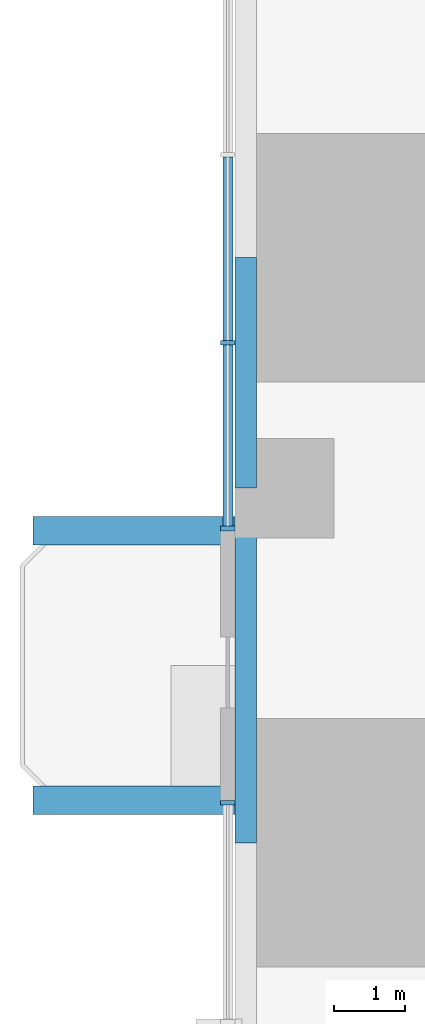
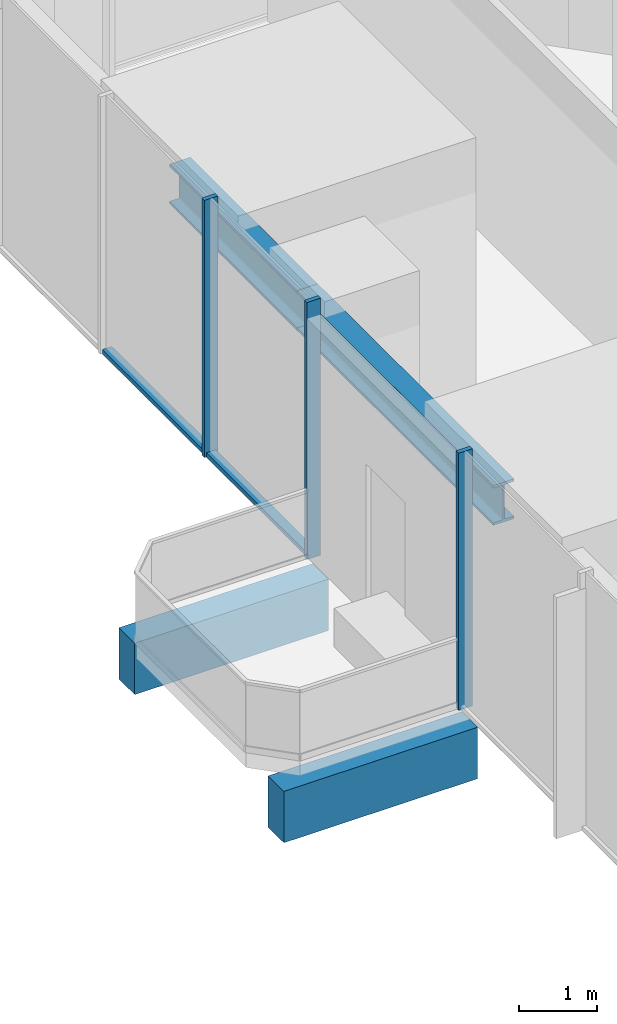
# One storey, part 3 of 15: 5 members, 4 beams, 2 elements without a shape of their own.
"""IFC4 building model written with IfcOpenShell, lengths in metres."""

import ifcopenshell
import ifcopenshell.guid

model = None  # the IFC model being written
_history = None  # IfcOwnerHistory: only IFC2X3 demands one
_inside = {}  # id of a spatial element -> (the spatial element, [elements in it])
_under = {}  # id of a project, library or spatial element -> (it, [spatial elements below it])
_declared = {}  # id of a project -> (the project, [libraries it declares])
_typed = {}  # id of a type object -> (the type object, [elements of that type])
_made_of = {}  # id of a material, layer set ... -> (it, [elements and type objects made of it])


def new_model(schema):
    """Start an empty IFC model of exactly this schema.

    Asked for "IFC4X3", IfcOpenShell would pick the latest addendum, in which some entities
    have other attributes; the version numbers below select the first issue.
    IFC2X3 requires an IfcOwnerHistory on every rooted entity: one is made here for all.
    """
    global model, _history
    if schema == "IFC4X3":
        model = ifcopenshell.file(schema_version=(4, 3, 0, 0))
    else:
        model = ifcopenshell.file(schema=schema)
    _inside.clear()
    _under.clear()
    _declared.clear()
    _typed.clear()
    _made_of.clear()
    _history = None
    if model.schema == "IFC2X3":
        org = make("IfcOrganization", Name="unknown")
        user = make(
            "IfcPersonAndOrganization",
            ThePerson=make("IfcPerson", FamilyName="unknown"),
            TheOrganization=org,
        )
        app = make(
            "IfcApplication",
            ApplicationDeveloper=org,
            Version="unknown",
            ApplicationFullName="unknown",
            ApplicationIdentifier="unknown",
        )
        _history = make(
            "IfcOwnerHistory",
            OwningUser=user,
            OwningApplication=app,
            ChangeAction="ADDED",
            CreationDate=0,
        )
    return model


def make(cls, **values):
    """One entity of the class cls with the attributes given. An attribute that is None is left unset."""
    return model.create_entity(
        cls, **{name: value for name, value in values.items() if value is not None}
    )


def rooted(cls, **values):
    """An entity with a GlobalId (a new one), such as an element, a storey or a relation."""
    return make(cls, GlobalId=ifcopenshell.guid.new(), OwnerHistory=_history, **values)


def si_unit(unit_type, name, prefix=None):
    """IfcSIUnit, for example si_unit("LENGTHUNIT", "METRE", prefix="MILLI")."""
    return make("IfcSIUnit", UnitType=unit_type, Prefix=prefix, Name=name)


def assignment(units):
    """IfcUnitAssignment: the units of a project."""
    return None if units is None else make("IfcUnitAssignment", Units=units)


def point(xyz):
    """IfcCartesianPoint."""
    return None if xyz is None else make("IfcCartesianPoint", Coordinates=xyz)


def direction(xyz):
    """IfcDirection."""
    return None if xyz is None else make("IfcDirection", DirectionRatios=xyz)


def frame(location, z_axis=None, x_axis=None):
    """IfcAxis2Placement3D, a coordinate frame: its origin and axes. An axis left out is left unset."""
    return make(
        "IfcAxis2Placement3D",
        Location=point(location),
        Axis=direction(z_axis),
        RefDirection=direction(x_axis),
    )


def frame_2d(location, x_axis=None):
    """IfcAxis2Placement2D, a coordinate frame in the plane: its origin and x axis."""
    return make(
        "IfcAxis2Placement2D", Location=point(location), RefDirection=direction(x_axis)
    )


def origin():
    """The frame at (0, 0, 0) with its axes left unset."""
    return frame((0.0, 0.0, 0.0))


def origin_2d():
    """The frame at (0, 0) in the plane with its x axis left unset."""
    return frame_2d((0.0, 0.0))


def place(relative_to, where):
    """IfcLocalPlacement: puts the frame where relative to a parent placement (None: the world)."""
    return make(
        "IfcLocalPlacement", PlacementRelTo=relative_to, RelativePlacement=where
    )


def context(
    kind, dimensions, precision=None, world=None, true_north=None, identifier=None
):
    """IfcGeometricRepresentationContext, for example the 3D "Model" context."""
    return make(
        "IfcGeometricRepresentationContext",
        ContextIdentifier=identifier,
        ContextType=kind,
        CoordinateSpaceDimension=dimensions,
        Precision=precision,
        WorldCoordinateSystem=world,
        TrueNorth=true_north,
    )


def subcontext(parent, identifier, kind, view, scale=None):
    """IfcGeometricRepresentationSubContext, for example "Body" below "Model"."""
    return make(
        "IfcGeometricRepresentationSubContext",
        ContextIdentifier=identifier,
        ContextType=kind,
        ParentContext=parent,
        TargetScale=scale,
        TargetView=view,
    )


def project(units=None, contexts=None):
    """IfcProject with its units and contexts."""
    return rooted(
        "IfcProject",
        Name="project",
        RepresentationContexts=contexts,
        UnitsInContext=assignment(units),
    )


def spatial(cls, under=None, at=None, **own):
    """A site, building, storey or space (cls), placed at a placement, below another one or the project."""
    s = rooted(cls, ObjectPlacement=at, **own)
    if under is not None:
        _under.setdefault(under.id(), (under, []))[1].append(s)
    return s


def profile(cls, at=None, kind="AREA", **sizes):
    """A parametric profile (cls). Its sizes go by their IFC names, for example OverallWidth=200.0."""
    return make(cls, ProfileType=kind, Position=at, **sizes)


def rectangle(**sizes):
    """IfcRectangleProfileDef."""
    return profile("IfcRectangleProfileDef", **sizes)


def i_section(**sizes):
    """IfcIShapeProfileDef."""
    return profile("IfcIShapeProfileDef", **sizes)


def extrude(swept, where, along, depth):
    """IfcExtrudedAreaSolid: the profile swept, set in the frame where, extruded along a direction by depth."""
    return make(
        "IfcExtrudedAreaSolid",
        SweptArea=swept,
        Position=where,
        ExtrudedDirection=direction(along),
        Depth=depth,
    )


def shape(context_of_items, identifier, shape_type, items):
    """IfcShapeRepresentation: the items that make up one representation, for example the "Body"."""
    return make(
        "IfcShapeRepresentation",
        ContextOfItems=context_of_items,
        RepresentationIdentifier=identifier,
        RepresentationType=shape_type,
        Items=items,
    )


def material(Name=None, Category=None):
    """IfcMaterial."""
    return make("IfcMaterial", Name=Name, Category=Category)


def material_profile(
    of_material, cross_section, Name=None, Category=None, Priority=None
):
    """IfcMaterialProfile: a cross section and its material."""
    return make(
        "IfcMaterialProfile",
        Name=Name,
        Material=of_material,
        Profile=cross_section,
        Priority=Priority,
        Category=Category,
    )


def profile_set(profiles, Name=None, composite=None):
    """IfcMaterialProfileSet."""
    return make(
        "IfcMaterialProfileSet",
        Name=Name,
        MaterialProfiles=profiles,
        CompositeProfile=composite,
    )


def made_of(thing, what):
    """Note that an element or type object is made of a material, layer set ...; save() writes the relation."""
    if what is not None:
        _made_of.setdefault(what.id(), (what, []))[1].append(thing)
    return thing


def type_object(cls, material=None, **own):
    """A type object (cls), such as IfcWallType, which elements share."""
    return made_of(rooted(cls, **own), material)


def element(
    cls,
    number,
    at=None,
    inside=None,
    cuts=None,
    type_object=None,
    material=None,
    context=None,
    identifier="Body",
    shape_type=None,
    held_by="IfcProductDefinitionShape",
    body=None,
    shapes=None,
    **own,
):
    """One element of the class cls, such as IfcWall. Its Tag is "e" and its number.

    at: its placement. inside: the storey or other place that contains it. cuts: it is an
    opening in that element (IfcRelVoidsElement). A single representation is given by context,
    identifier, shape_type and body (its items); several are given by shapes. held_by: the class
    of the entity that holds the representations. save() writes the other relations.
    """
    e = rooted(cls, Tag="e%d" % number, ObjectPlacement=at, **own)
    if body is not None:
        shapes = [shape(context, identifier, shape_type, body)]
    if shapes is not None:
        e.Representation = make(held_by, Representations=shapes)
    if inside is not None:
        _inside.setdefault(inside.id(), (inside, []))[1].append(e)
    if cuts is not None:
        rooted(
            "IfcRelVoidsElement", RelatingBuildingElement=cuts, RelatedOpeningElement=e
        )
    if type_object is not None:
        _typed.setdefault(type_object.id(), (type_object, []))[1].append(e)
    return made_of(e, material)


def aggregate(whole, parts):
    """IfcRelAggregates: a whole, such as a stair, and the parts it consists of."""
    return rooted("IfcRelAggregates", RelatingObject=whole, RelatedObjects=parts)


def save(model, path):
    """Write the relations noted so far, then the file.

    IfcRelAggregates (storeys below a building ...), IfcRelContainedInSpatialStructure (elements
    in a storey), IfcRelDefinesByType, IfcRelAssociatesMaterial and IfcRelDeclares: one each for
    every whole, place, type object, material and project.
    """
    for whole, parts in _under.values():
        aggregate(whole, parts)
    for where, things in _inside.values():
        rooted(
            "IfcRelContainedInSpatialStructure",
            RelatedElements=things,
            RelatingStructure=where,
        )
    for kind, things in _typed.values():
        rooted("IfcRelDefinesByType", RelatedObjects=things, RelatingType=kind)
    for what, things in _made_of.values():
        rooted("IfcRelAssociatesMaterial", RelatedObjects=things, RelatingMaterial=what)
    for by, libraries in _declared.values():
        rooted("IfcRelDeclares", RelatingContext=by, RelatedDefinitions=libraries)
    model.write(path)


model = new_model("IFC4")

# Units and contexts
model_context = context("Model", 3, precision=1e-05, world=origin(), true_north=direction((0.0, 1.0)))
body_context = subcontext(model_context, "Body", "Model", "MODEL_VIEW")
ifc_project = project(units=[si_unit("LENGTHUNIT", "METRE"), si_unit("AREAUNIT", "SQUARE_METRE"), si_unit("VOLUMEUNIT", "CUBIC_METRE"), si_unit("PLANEANGLEUNIT", "RADIAN"), si_unit("MASSUNIT", "GRAM", prefix="KILO")], contexts=[model_context])

# Site, building, storey
site_placement = place(None, origin())
site = spatial("IfcSite", under=ifc_project, at=site_placement, CompositionType="ELEMENT")
building_placement = place(site_placement, origin())
building = spatial("IfcBuilding", under=site, at=building_placement, Name="Svetlomir Tower", CompositionType="ELEMENT")
storey_placement = place(building_placement, frame((0.0, 0.0, 26.5)))
storey = spatial("IfcBuildingStorey", under=building, at=storey_placement, Name="L05", CompositionType="ELEMENT", Elevation=26.5)

# Beams
ifc_material_1 = material(Name="Concrete C60/75", Category="concrete")
ifc_material_profile_1 = material_profile(ifc_material_1, rectangle(XDim=0.39990234375, YDim=0.800048828125, at=origin_2d()), Name="RC 400x800")
ifc_profile_set_1 = profile_set([ifc_material_profile_1], Name="Concrete C60/75")
beam_type_1 = type_object("IfcBeamType", Name="BALCONY RIB RC 400x800", PredefinedType="BEAM", material=ifc_profile_set_1)
for number, where, z_axis, x_axis, name in (
    (1, (0.0, 21.60009765625, -0.64990234375), (-1.0, 0.0, 0.0), (0.0, -1.0, 0.0), "Balcony rib W 1 L05"),
    (2, (0.0, 25.39990234375, -0.64990234375), (-1.0, 0.0, 0.0), (0.0, -1.0, 0.0), "Balcony rib W 2 L05"),
):
    element("IfcBeam", number, at=place(storey_placement, frame(where, z_axis=z_axis, x_axis=x_axis)), inside=storey, type_object=beam_type_1, Name=name, PredefinedType="BEAM", context=body_context, shape_type="SweptSolid", body=[
        extrude(rectangle(XDim=0.39990234375, YDim=0.800048828125, at=origin_2d()), origin(), (0.0, 0.0, 1.0), 2.85009765625),
    ])

# Curtain wall, members
ifc_material_2 = material(Name="Bronze anodised aluminium curtain wall", Category="aluminium")
curtain_wall_type = type_object("IfcCurtainWallType", Name="CURTAIN WALL CW1 TOWER OFFICE", PredefinedType="NOTDEFINED", material=ifc_material_2)
curtain_wall_1_placement = place(storey_placement, origin())
curtain_wall_1 = element("IfcCurtainWall", 3, at=curtain_wall_1_placement, inside=storey, type_object=curtain_wall_type, Name="Curtain wall CW1 L05", PredefinedType="NOTDEFINED")
ifc_material_3 = material(Name="Bronze anodised aluminium", Category="aluminium")
ifc_material_profile_2 = material_profile(ifc_material_3, rectangle(XDim=0.06494140625, YDim=0.199951171875, at=origin_2d()), Name="AL 65x200")
ifc_profile_set_2 = profile_set([ifc_material_profile_2], Name="Bronze anodised aluminium 6063-T6")
member_type_1 = type_object("IfcMemberType", Name="CW1 MULLION 65x200", PredefinedType="MULLION", material=ifc_profile_set_2)
member_1_placement = place(storey_placement, frame((-0.10009765625, 28.050048828125, 0.0), z_axis=(0.0, 0.0, 1.0), x_axis=(0.0, -1.0, 0.0)))
member_1 = element("IfcMember", 4, at=member_1_placement, type_object=member_type_1, Name="CW1 mullion 4", PredefinedType="MULLION", context=body_context, shape_type="SweptSolid", body=[
    extrude(rectangle(XDim=0.06494140625, YDim=0.199951171875, at=origin_2d()), origin(), (0.0, 0.0, 1.0), 4.0),
])
member_2_placement = place(storey_placement, frame((-0.10009765625, 25.4326171875, 0.0), z_axis=(0.0, 0.0, 1.0), x_axis=(0.0, -1.0, 0.0)))
member_2 = element("IfcMember", 5, at=member_2_placement, type_object=member_type_1, Name="CW1 mullion 5", PredefinedType="MULLION", context=body_context, shape_type="SweptSolid", body=[
    extrude(rectangle(XDim=0.06494140625, YDim=0.199951171875, at=origin_2d()), origin(), (0.0, 0.0, 1.0), 4.0),
])

# Curtain wall, member
curtain_wall_2_placement = place(storey_placement, origin())
curtain_wall_2 = element("IfcCurtainWall", 6, at=curtain_wall_2_placement, inside=storey, type_object=curtain_wall_type, Name="Curtain wall CW1 L05", PredefinedType="NOTDEFINED")
member_3_placement = place(storey_placement, frame((-0.10009765625, 21.5673828125, 0.0), z_axis=(0.0, 0.0, 1.0), x_axis=(0.0, -1.0, 0.0)))
member_3 = element("IfcMember", 7, at=member_3_placement, type_object=member_type_1, Name="CW1 mullion 1", PredefinedType="MULLION", context=body_context, shape_type="SweptSolid", body=[
    extrude(rectangle(XDim=0.06494140625, YDim=0.199951171875, at=origin_2d()), origin(), (0.0, 0.0, 1.0), 4.0),
])
aggregate(curtain_wall_2, [member_3])

# Member
ifc_material_4 = material(Name="Bronze anodised aluminium", Category="aluminium")
ifc_material_profile_3 = material_profile(ifc_material_4, rectangle(XDim=0.139892578125, YDim=0.06494140625, at=origin_2d()), Name="AL 140x65")
ifc_profile_set_3 = profile_set([ifc_material_profile_3], Name="Bronze anodised aluminium 6063-T6")
member_type_2 = type_object("IfcMemberType", Name="CW1 TRANSOM 65x140", PredefinedType="USERDEFINED", material=ifc_profile_set_3)
member_4_placement = place(storey_placement, frame((-0.10009765625, 30.66748046875, 0.032470703125), z_axis=(0.0, -1.0, 0.0), x_axis=(1.0, 0.0, 0.0)))
member_4 = element("IfcMember", 8, at=member_4_placement, type_object=member_type_2, Name="CW1 transom 3.1", ObjectType="TRANSOM", PredefinedType="USERDEFINED", context=body_context, shape_type="SweptSolid", body=[
    extrude(rectangle(XDim=0.139892578125, YDim=0.06494140625, at=origin_2d()), origin(), (0.0, 0.0, 1.0), 2.5849609375),
])

member_5_placement = place(storey_placement, frame((-0.10009765625, 28.017578125, 0.032470703125), z_axis=(0.0, -1.0, 0.0), x_axis=(1.0, 0.0, 0.0)))
member_5 = element("IfcMember", 9, at=member_5_placement, type_object=member_type_2, Name="CW1 transom 4.1", ObjectType="TRANSOM", PredefinedType="USERDEFINED", context=body_context, shape_type="SweptSolid", body=[
    extrude(rectangle(XDim=0.139892578125, YDim=0.06494140625, at=origin_2d()), origin(), (0.0, 0.0, 1.0), 2.552490234375),
])

aggregate(curtain_wall_1, [member_1, member_2, member_4, member_5])

# Beams
ifc_material_5 = material(Name="Steel S355", Category="steel")
ifc_material_profile_4 = material_profile(ifc_material_5, i_section(OverallWidth=0.304931640625, OverallDepth=0.6201171875, WebThickness=0.02099609375, FlangeThickness=0.0400390625, FilletRadius=0.027099609375, at=origin_2d()), Name="HEM 600")
ifc_profile_set_4 = profile_set([ifc_material_profile_4], Name="Steel S355")
beam_type_2 = type_object("IfcBeamType", Name="EDGE BEAM HEM 600", PredefinedType="SPANDREL", material=ifc_profile_set_4)
beam_1_placement = place(storey_placement, frame((0.152587890625, 21.0, 3.43994140625), z_axis=(0.0, 1.0, 0.0), x_axis=(-1.0, 0.0, 0.0)))
element("IfcBeam", 10, at=beam_1_placement, inside=storey, type_object=beam_type_2, Name="Edge beam 0/21 to 0/26 under L06", PredefinedType="SPANDREL", context=body_context, shape_type="SweptSolid", body=[
    extrude(i_section(OverallWidth=0.304931640625, OverallDepth=0.6201171875, WebThickness=0.02099609375, FlangeThickness=0.0400390625, FilletRadius=0.027099609375, at=origin_2d()), origin(), (0.0, 0.0, 1.0), 5.0),
])
beam_2_placement = place(storey_placement, frame((0.152587890625, 26.0, 3.43994140625), z_axis=(0.0, 1.0, 0.0), x_axis=(-1.0, 0.0, 0.0)))
element("IfcBeam", 11, at=beam_2_placement, inside=storey, type_object=beam_type_2, Name="Edge beam 0/26 to 0/31 under L06", PredefinedType="SPANDREL", context=body_context, shape_type="SweptSolid", body=[
    extrude(i_section(OverallWidth=0.304931640625, OverallDepth=0.6201171875, WebThickness=0.02099609375, FlangeThickness=0.0400390625, FilletRadius=0.027099609375, at=origin_2d()), origin(), (0.0, 0.0, 1.0), 3.25),
])

save(model, "model.ifc")
